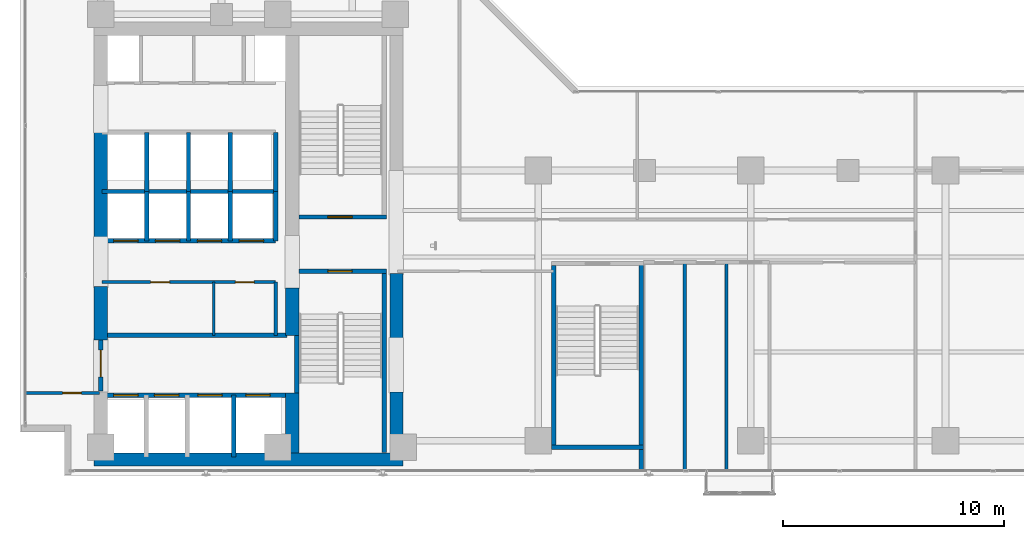
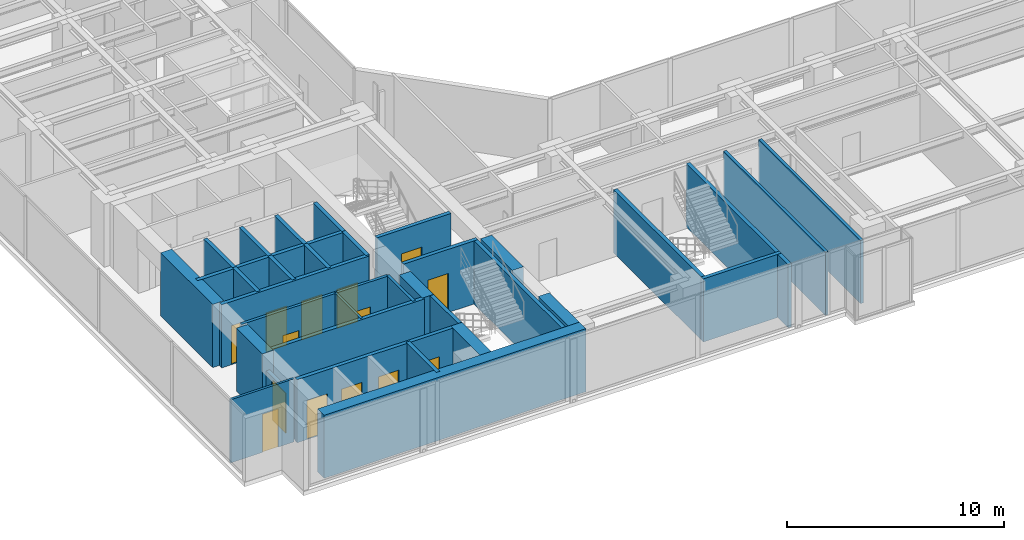
# One storey, part 20 of 27: 34 walls, 14 doors, 14 openings.
"""IFC4 building model written with IfcOpenShell, lengths in metres."""

from ifc_helpers import new_model, si_unit, direction, frame, frame_2d, origin, place, context, subcontext, project, spatial, rectangle, extrude, material, layer, layer_set, type_object, element, fill, save


model = new_model("IFC4")

# Units and contexts
model_context = context("Model", 3, precision=1e-05, world=origin(), true_north=direction((0.0, 1.0)))
body_context = subcontext(model_context, "Body", "Model", "MODEL_VIEW")
ifc_project = project(units=[si_unit("LENGTHUNIT", "METRE"), si_unit("AREAUNIT", "SQUARE_METRE"), si_unit("VOLUMEUNIT", "CUBIC_METRE"), si_unit("PLANEANGLEUNIT", "RADIAN"), si_unit("MASSUNIT", "GRAM", prefix="KILO")], contexts=[model_context])

# Site, building, storey
site_placement = place(None, origin())
site = spatial("IfcSite", under=ifc_project, at=site_placement, CompositionType="ELEMENT")
building_placement = place(site_placement, origin())
building = spatial("IfcBuilding", under=site, at=building_placement, Name="Kolvaren Waterfront Exchange", CompositionType="ELEMENT")
storey_placement = place(building_placement, frame((0.0, 0.0, 161.39990234375)))
storey = spatial("IfcBuildingStorey", under=building, at=storey_placement, Name="L41", CompositionType="ELEMENT", Elevation=161.39990234375)

# Wall, opening, door
ifc_material_1 = material(Name="Precast concrete C40/50", Category="concrete")
ifc_layer_1 = layer(ifc_material_1, 0.199951171875, Name="Precast concrete C40/50")
ifc_layer_set_1 = layer_set([ifc_layer_1], Name="Precast concrete C40/50")
wall_type_1 = type_object("IfcWallType", Name="ARC-FIRE-200", PredefinedType="PARTITIONING", material=ifc_layer_set_1)
wall_1_placement = place(storey_placement, frame((16.39990234375, 12.85009765625, 0.0), z_axis=(0.0, 0.0, 1.0), x_axis=(1.0, 0.0, 0.0)))
wall_1 = element("IfcWall", 1, at=wall_1_placement, inside=storey, type_object=wall_type_1, Name="L41 interior wall PW-L41-ST1-THROAT-S", PredefinedType="PARTITIONING", context=body_context, shape_type="SweptSolid", body=[
    extrude(rectangle(XDim=3.960205078125, YDim=0.199951171875, at=frame_2d((1.97998046875, 0.0))), origin(), (0.0, 0.0, 1.0), 3.56005859375),
])
opening_1_placement = place(wall_1_placement, frame((1.3037109375, 0.0, 0.0)))
opening_1 = element("IfcOpeningElement", 2, at=opening_1_placement, cuts=wall_1, Name="Opening FD2", PredefinedType="OPENING", context=body_context, shape_type="SweptSolid", body=[
    extrude(rectangle(XDim=1.10009765625, YDim=2.199951171875, at=frame_2d((0.550048828125, 1.10009765625))), frame((0.0, 0.10986328125, 0.0), z_axis=(0.0, -1.0, 0.0), x_axis=(1.0, 0.0, 0.0)), (0.0, 0.0, 1.0), 0.219970703125),
])
ifc_material_2 = material(Name="Pressed steel smoke-seal fire door", Category="steel")
door_type_1 = type_object("IfcDoorType", Name="ARC-FD-1100", OperationType="NOTDEFINED", PredefinedType="DOOR", material=ifc_material_2)
door_1_placement = place(opening_1_placement, frame((1.10009765625, 0.0, 0.0), z_axis=(0.0, 0.0, 1.0), x_axis=(-1.0, 0.0, 0.0)))
door_1 = element("IfcDoor", 3, at=door_1_placement, inside=storey, type_object=door_type_1, Name="L41 door DR-L41-ST1-IN (FD2)", OperationType="SINGLE_SWING_LEFT", OverallHeight=2.199951171875, OverallWidth=1.10009765625, PredefinedType="DOOR", context=body_context, shape_type="SweptSolid", body=[
    extrude(rectangle(XDim=1.10009765625, YDim=2.199951171875, at=frame_2d((0.550048828125, 1.10009765625))), frame((0.0, 0.02490234375, 0.0), z_axis=(0.0, -1.0, 0.0), x_axis=(1.0, 0.0, 0.0)), (0.0, 0.0, 1.0), 0.050048828125),
])
fill(opening_1, door_1)

wall_2_placement = place(storey_placement, frame((16.409912109375, 15.300048828125, 0.0), z_axis=(0.0, 0.0, 1.0), x_axis=(1.0, 0.0, 0.0)))
wall_2 = element("IfcWall", 4, at=wall_2_placement, inside=storey, type_object=wall_type_1, Name="L41 interior wall PW-L41-ST2-THROAT-N", PredefinedType="PARTITIONING", context=body_context, shape_type="SweptSolid", body=[
    extrude(rectangle(XDim=3.9501953125, YDim=0.199951171875, at=frame_2d((1.97509765625, 0.0))), origin(), (0.0, 0.0, 1.0), 3.56005859375),
])
opening_2_placement = place(wall_2_placement, frame((1.293701171875, 0.0, 0.0)))
opening_2 = element("IfcOpeningElement", 5, at=opening_2_placement, cuts=wall_2, Name="Opening FD2", PredefinedType="OPENING", context=body_context, shape_type="SweptSolid", body=[
    extrude(rectangle(XDim=1.10009765625, YDim=2.199951171875, at=frame_2d((0.550048828125, 1.10009765625))), frame((0.0, 0.10986328125, 0.0), z_axis=(0.0, -1.0, 0.0), x_axis=(1.0, 0.0, 0.0)), (0.0, 0.0, 1.0), 0.219970703125),
])
door_2_placement = place(opening_2_placement, origin())
door_2 = element("IfcDoor", 6, at=door_2_placement, inside=storey, type_object=door_type_1, Name="L41 door DR-L41-ST2-IN (FD2)", OperationType="SINGLE_SWING_RIGHT", OverallHeight=2.199951171875, OverallWidth=1.10009765625, PredefinedType="DOOR", context=body_context, shape_type="SweptSolid", body=[
    extrude(rectangle(XDim=1.10009765625, YDim=2.199951171875, at=frame_2d((0.550048828125, 1.10009765625))), frame((0.0, 0.02490234375, 0.0), z_axis=(0.0, -1.0, 0.0), x_axis=(1.0, 0.0, 0.0)), (0.0, 0.0, 1.0), 0.050048828125),
])
fill(opening_2, door_2)

# Wall
wall_3_placement = place(storey_placement, frame((7.5, 9.949951171875, 0.0), z_axis=(0.0, 0.0, 1.0), x_axis=(1.0, 0.0, 0.0)))
element("IfcWall", 7, at=wall_3_placement, inside=storey, type_object=wall_type_1, Name="L41 interior wall PW-L41-FF-N", PredefinedType="PARTITIONING", context=body_context, shape_type="SweptSolid", body=[
    extrude(rectangle(XDim=8.35009765625, YDim=0.199951171875, at=frame_2d((4.175048828125, 0.0))), origin(), (0.0, 0.0, 1.0), 3.56005859375),
])

# Wall, opening, door
wall_4_placement = place(storey_placement, frame((7.449951171875, 7.449951171875, 0.0), z_axis=(0.0, 0.0, 1.0), x_axis=(0.0, 1.0, 0.0)))
wall_4 = element("IfcWall", 8, at=wall_4_placement, inside=storey, type_object=wall_type_1, Name="L41 interior wall PW-L41-FF-W-DOOR", PredefinedType="PARTITIONING", context=body_context, shape_type="SweptSolid", body=[
    extrude(rectangle(XDim=2.300048828125, YDim=0.199951171875, at=frame_2d((1.14990234375, 0.0))), origin(), (0.0, 0.0, 1.0), 2.5400390625),
])
opening_3_placement = place(wall_4_placement, frame((0.63330078125, 0.0, 0.0)))
opening_3 = element("IfcOpeningElement", 9, at=opening_3_placement, cuts=wall_4, Name="Opening FD3", PredefinedType="OPENING", context=body_context, shape_type="SweptSolid", body=[
    extrude(rectangle(XDim=1.199951171875, YDim=2.25, at=frame_2d((0.60009765625, 1.125))), frame((0.0, 0.10986328125, 0.0), z_axis=(0.0, -1.0, 0.0), x_axis=(1.0, 0.0, 0.0)), (0.0, 0.0, 1.0), 0.219970703125),
])
ifc_material_3 = material(Name="Pressed steel fire door", Category="steel")
door_type_2 = type_object("IfcDoorType", Name="ARC-FD-1200", OperationType="NOTDEFINED", PredefinedType="DOOR", material=ifc_material_3)
door_3_placement = place(opening_3_placement, frame((1.199951171875, 0.0, 0.0), z_axis=(0.0, 0.0, 1.0), x_axis=(-1.0, 0.0, 0.0)))
door_3 = element("IfcDoor", 10, at=door_3_placement, inside=storey, type_object=door_type_2, Name="L41 door DR-L41-FF-OUT (FD3)", OperationType="SINGLE_SWING_RIGHT", OverallHeight=2.25, OverallWidth=1.199951171875, PredefinedType="DOOR", context=body_context, shape_type="SweptSolid", body=[
    extrude(rectangle(XDim=1.199951171875, YDim=2.25, at=frame_2d((0.60009765625, 1.125))), frame((0.0, 0.02490234375, 0.0), z_axis=(0.0, -1.0, 0.0), x_axis=(1.0, 0.0, 0.0)), (0.0, 0.0, 1.0), 0.050048828125),
])
fill(opening_3, door_3)

# Wall
ifc_material_4 = material(Name="Acoustic gypsum steel stud", Category="steel")
ifc_layer_2 = layer(ifc_material_4, 0.125, Name="Acoustic gypsum steel stud")
ifc_layer_set_2 = layer_set([ifc_layer_2], Name="Acoustic gypsum steel stud")
wall_type_2 = type_object("IfcWallType", Name="ARC-PART-125", PredefinedType="PARTITIONING", material=ifc_layer_set_2)
wall_5_placement = place(storey_placement, frame((12.550048828125, 9.949951171875, 0.0), z_axis=(0.0, 0.0, 1.0), x_axis=(0.0, 1.0, 0.0)))
element("IfcWall", 11, at=wall_5_placement, inside=storey, type_object=wall_type_2, Name="L41 interior wall PW-L41-REC-PL-MID", PredefinedType="PARTITIONING", context=body_context, shape_type="SweptSolid", body=[
    extrude(rectangle(XDim=2.41015625, YDim=0.125, at=frame_2d((1.205078125, 0.0))), origin(), (0.0, 0.0, 1.0), 3.56005859375),
])

# Wall, opening, door
wall_6_placement = place(storey_placement, frame((4.0400390625, 7.35009765625, 0.0), z_axis=(0.0, 0.0, 1.0), x_axis=(1.0, 0.0, 0.0)))
wall_6 = element("IfcWall", 12, at=wall_6_placement, inside=storey, type_object=wall_type_2, Name="L41 interior wall PW-L41-SWC-N", PredefinedType="PARTITIONING", context=body_context, shape_type="SweptSolid", body=[
    extrude(rectangle(XDim=3.35986328125, YDim=0.125, at=frame_2d((1.679931640625, 0.0))), origin(), (0.0, 0.0, 1.0), 3.56005859375),
])
opening_4_placement = place(wall_6_placement, frame((1.686767578125, 0.0, 0.0)))
opening_4 = element("IfcOpeningElement", 13, at=opening_4_placement, cuts=wall_6, Name="Opening D01", PredefinedType="OPENING", context=body_context, shape_type="SweptSolid", body=[
    extrude(rectangle(XDim=0.85009765625, YDim=2.14990234375, at=frame_2d((0.425048828125, 1.074951171875))), frame((0.0, 0.072509765625, 0.0), z_axis=(0.0, -1.0, 0.0), x_axis=(1.0, 0.0, 0.0)), (0.0, 0.0, 1.0), 0.14501953125),
])
ifc_material_5 = material(Name="Oak veneer timber leaf", Category="wood")
door_type_3 = type_object("IfcDoorType", Name="ARC-DR-900", OperationType="NOTDEFINED", PredefinedType="DOOR", material=ifc_material_5)
door_4_placement = place(opening_4_placement, origin())
door_4 = element("IfcDoor", 14, at=door_4_placement, inside=storey, type_object=door_type_3, Name="L41 door DR-L41-SWC-D (D01)", OperationType="SINGLE_SWING_RIGHT", OverallHeight=2.14990234375, OverallWidth=0.85009765625, PredefinedType="DOOR", context=body_context, shape_type="SweptSolid", body=[
    extrude(rectangle(XDim=0.85009765625, YDim=2.14990234375, at=frame_2d((0.425048828125, 1.074951171875))), frame((0.0, 0.02490234375, 0.0), z_axis=(0.0, -1.0, 0.0), x_axis=(1.0, 0.0, 0.0)), (0.0, 0.0, 1.0), 0.050048828125),
])
fill(opening_4, door_4)

# Wall, openings, doors
ifc_material_6 = material(Name="Gypsum fireboard steel stud", Category="steel")
ifc_layer_3 = layer(ifc_material_6, 0.14990234375, Name="Gypsum fireboard steel stud")
ifc_layer_set_3 = layer_set([ifc_layer_3], Name="Gypsum fireboard steel stud")
wall_type_3 = type_object("IfcWallType", Name="ARC-PART-150", PredefinedType="PARTITIONING", material=ifc_layer_set_3)
wall_7_placement = place(storey_placement, frame((7.5, 12.360107421875, 0.0), z_axis=(0.0, 0.0, 1.0), x_axis=(1.0, 0.0, 0.0)))
wall_7 = element("IfcWall", 15, at=wall_7_placement, inside=storey, type_object=wall_type_3, Name="L41 interior wall PW-L41-REC-PL-N", PredefinedType="PARTITIONING", context=body_context, shape_type="SweptSolid", body=[
    extrude(rectangle(XDim=7.85009765625, YDim=0.14990234375, at=frame_2d((3.925048828125, 0.0))), origin(), (0.0, 0.0, 1.0), 3.56005859375),
])
opening_5_placement = place(wall_7_placement, frame((2.202392578125, 0.0, 0.0)))
opening_5 = element("IfcOpeningElement", 16, at=opening_5_placement, cuts=wall_7, Name="Opening D01", PredefinedType="OPENING", context=body_context, shape_type="SweptSolid", body=[
    extrude(rectangle(XDim=0.85009765625, YDim=2.14990234375, at=frame_2d((0.425048828125, 1.074951171875))), frame((0.0, 0.0849609375, 0.0), z_axis=(0.0, -1.0, 0.0), x_axis=(1.0, 0.0, 0.0)), (0.0, 0.0, 1.0), 0.169921875),
])
opening_6_placement = place(wall_7_placement, frame((6.02490234375, 0.0, 0.0)))
opening_6 = element("IfcOpeningElement", 17, at=opening_6_placement, cuts=wall_7, Name="Opening D01", PredefinedType="OPENING", context=body_context, shape_type="SweptSolid", body=[
    extrude(rectangle(XDim=0.85009765625, YDim=2.14990234375, at=frame_2d((0.425048828125, 1.074951171875))), frame((0.0, 0.0849609375, 0.0), z_axis=(0.0, -1.0, 0.0), x_axis=(1.0, 0.0, 0.0)), (0.0, 0.0, 1.0), 0.169921875),
])
door_5_placement = place(opening_5_placement, origin())
door_5 = element("IfcDoor", 18, at=door_5_placement, inside=storey, type_object=door_type_3, Name="L41 door DR-L41-REC-PL-D1 (D01)", OperationType="SINGLE_SWING_LEFT", OverallHeight=2.14990234375, OverallWidth=0.85009765625, PredefinedType="DOOR", context=body_context, shape_type="SweptSolid", body=[
    extrude(rectangle(XDim=0.85009765625, YDim=2.14990234375, at=frame_2d((0.425048828125, 1.074951171875))), frame((0.0, 0.02490234375, 0.0), z_axis=(0.0, -1.0, 0.0), x_axis=(1.0, 0.0, 0.0)), (0.0, 0.0, 1.0), 0.050048828125),
])
fill(opening_5, door_5)
door_6_placement = place(opening_6_placement, origin())
door_6 = element("IfcDoor", 19, at=door_6_placement, inside=storey, type_object=door_type_3, Name="L41 door DR-L41-REC-PL-D2 (D01)", OperationType="SINGLE_SWING_RIGHT", OverallHeight=2.14990234375, OverallWidth=0.85009765625, PredefinedType="DOOR", context=body_context, shape_type="SweptSolid", body=[
    extrude(rectangle(XDim=0.85009765625, YDim=2.14990234375, at=frame_2d((0.425048828125, 1.074951171875))), frame((0.0, 0.02490234375, 0.0), z_axis=(0.0, -1.0, 0.0), x_axis=(1.0, 0.0, 0.0)), (0.0, 0.0, 1.0), 0.050048828125),
])
fill(opening_6, door_6)

# Walls
wall_8_placement = place(storey_placement, frame((15.35009765625, 9.949951171875, 0.0), z_axis=(0.0, 0.0, 1.0), x_axis=(0.0, 1.0, 0.0)))
element("IfcWall", 20, at=wall_8_placement, inside=storey, type_object=wall_type_3, Name="L41 interior wall PW-L41-REC-PL-E", PredefinedType="PARTITIONING", context=body_context, shape_type="SweptSolid", body=[
    extrude(rectangle(XDim=2.41015625, YDim=0.14990234375, at=frame_2d((1.205078125, 0.0))), origin(), (0.0, 0.0, 1.0), 3.56005859375),
])
ifc_material_7 = material(Name="Moisture-resistant gypsum stud")
ifc_layer_4 = layer(ifc_material_7, 0.14990234375, Name="Moisture-resistant gypsum stud")
ifc_layer_set_4 = layer_set([ifc_layer_4], Name="Moisture-resistant gypsum stud")
wall_type_4 = type_object("IfcWallType", Name="ARC-PLUMB-150", PredefinedType="PLUMBINGWALL", material=ifc_layer_set_4)
for number, where, z_axis, x_axis, name in (
    (21, (33.830078125, 3.840087890625, 0.0), (0.0, 0.0, 1.0), (0.0, 1.0, 0.0), "L41 interior wall PW-L41-WC-1"),
    (22, (35.7099609375, 3.840087890625, 0.0), (0.0, 0.0, 1.0), (0.0, 1.0, 0.0), "L41 interior wall PW-L41-WC-2"),
):
    element("IfcWall", number, at=place(storey_placement, frame(where, z_axis=z_axis, x_axis=x_axis)), inside=storey, type_object=wall_type_4, Name=name, PredefinedType="PLUMBINGWALL", context=body_context, shape_type="SweptSolid", body=[
        extrude(rectangle(XDim=9.409912109375, YDim=0.14990234375, at=frame_2d((4.705078125, 0.0))), origin(), (0.0, 0.0, 1.0), 3.56005859375),
    ])
ifc_material_8 = material(Name="Concrete C40/50", Category="concrete")
ifc_layer_5 = layer(ifc_material_8, 0.199951171875, Name="Concrete C40/50")
ifc_layer_set_5 = layer_set([ifc_layer_5], Name="Concrete C40/50")
wall_type_5 = type_object("IfcWallType", Name="ARC-SHAFT-200", PredefinedType="PARTITIONING", material=ifc_layer_set_5)
wall_9_placement = place(storey_placement, frame((16.300048828125, 7.360107421875, 0.0), z_axis=(0.0, 0.0, 1.0), x_axis=(0.0, 1.0, 0.0)))
element("IfcWall", 23, at=wall_9_placement, inside=storey, type_object=wall_type_5, Name="L41 structural stairwell wall PW-L41-ST1-W", PredefinedType="SHEAR", context=body_context, shape_type="SweptSolid", body=[
    extrude(rectangle(XDim=2.579833984375, YDim=0.199951171875, at=frame_2d((1.2900390625, 0.0))), origin(), (0.0, 0.0, 1.0), 3.56005859375),
])
wall_10_placement = place(storey_placement, frame((20.260009765625, 4.659912109375, 0.0), z_axis=(0.0, 0.0, 1.0), x_axis=(0.0, 1.0, 0.0)))
element("IfcWall", 24, at=wall_10_placement, inside=storey, type_object=wall_type_5, Name="L41 structural stairwell wall PW-L41-ST1-E", PredefinedType="SHEAR", context=body_context, shape_type="SweptSolid", body=[
    extrude(rectangle(XDim=8.090087890625, YDim=0.199951171875, at=frame_2d((4.044921875, 0.0))), origin(), (0.0, 0.0, 1.0), 3.56005859375),
])
wall_11_placement = place(storey_placement, frame((27.89990234375, 5.0, 0.0), z_axis=(0.0, 0.0, 1.0), x_axis=(0.0, 1.0, 0.0)))
element("IfcWall", 25, at=wall_11_placement, inside=storey, type_object=wall_type_5, Name="L41 structural stairwell wall PW-L41-ST3-W", PredefinedType="SHEAR", context=body_context, shape_type="SweptSolid", body=[
    extrude(rectangle(XDim=8.10009765625, YDim=0.199951171875, at=frame_2d((4.050048828125, 0.0))), origin(), (0.0, 0.0, 1.0), 3.56005859375),
])
wall_12_placement = place(storey_placement, frame((31.860107421875, 3.840087890625, 0.0), z_axis=(0.0, 0.0, 1.0), x_axis=(0.0, 1.0, 0.0)))
element("IfcWall", 26, at=wall_12_placement, inside=storey, type_object=wall_type_5, Name="L41 structural stairwell wall PW-L41-ST3-E", PredefinedType="SHEAR", context=body_context, shape_type="SweptSolid", body=[
    extrude(rectangle(XDim=9.409912109375, YDim=0.199951171875, at=frame_2d((4.705078125, 0.0))), origin(), (0.0, 0.0, 1.0), 3.56005859375),
])
wall_13_placement = place(storey_placement, frame((27.800048828125, 4.89990234375, 0.0), z_axis=(0.0, 0.0, 1.0), x_axis=(1.0, 0.0, 0.0)))
element("IfcWall", 27, at=wall_13_placement, inside=storey, type_object=wall_type_5, Name="L41 structural stairwell wall PW-L41-ST3-S", PredefinedType="SHEAR", context=body_context, shape_type="SweptSolid", body=[
    extrude(rectangle(XDim=4.159912109375, YDim=0.199951171875, at=frame_2d((2.080078125, 0.0))), origin(), (0.0, 0.0, 1.0), 3.56005859375),
])

# Wall, openings, doors
wall_14_placement = place(storey_placement, frame((7.5, 7.25, 0.0), z_axis=(0.0, 0.0, 1.0), x_axis=(1.0, 0.0, 0.0)))
wall_14 = element("IfcWall", 28, at=wall_14_placement, inside=storey, type_object=wall_type_5, Name="L41 interior wall PW-L41-FF-S", PredefinedType="PARTITIONING", context=body_context, shape_type="SweptSolid", body=[
    extrude(rectangle(XDim=8.35009765625, YDim=0.199951171875, at=frame_2d((4.175048828125, 0.0))), origin(), (0.0, 0.0, 1.0), 3.56005859375),
])
opening_7_placement = place(wall_14_placement, frame((0.530029296875, 0.0, 0.0)))
opening_7 = element("IfcOpeningElement", 29, at=opening_7_placement, cuts=wall_14, Name="Opening LD1", PredefinedType="OPENING", context=body_context, shape_type="SweptSolid", body=[
    extrude(rectangle(XDim=1.10009765625, YDim=2.199951171875, at=frame_2d((0.550048828125, 1.10009765625))), frame((0.0, 0.10986328125, 0.0), z_axis=(0.0, -1.0, 0.0), x_axis=(1.0, 0.0, 0.0)), (0.0, 0.0, 1.0), 0.219970703125),
])
opening_8_placement = place(wall_14_placement, frame((2.3701171875, 0.0, 0.0)))
opening_8 = element("IfcOpeningElement", 30, at=opening_8_placement, cuts=wall_14, Name="Opening LD1", PredefinedType="OPENING", context=body_context, shape_type="SweptSolid", body=[
    extrude(rectangle(XDim=1.10009765625, YDim=2.199951171875, at=frame_2d((0.550048828125, 1.10009765625))), frame((0.0, 0.10986328125, 0.0), z_axis=(0.0, -1.0, 0.0), x_axis=(1.0, 0.0, 0.0)), (0.0, 0.0, 1.0), 0.219970703125),
])
opening_9_placement = place(wall_14_placement, frame((4.330078125, 0.0, 0.0)))
opening_9 = element("IfcOpeningElement", 31, at=opening_9_placement, cuts=wall_14, Name="Opening LD1", PredefinedType="OPENING", context=body_context, shape_type="SweptSolid", body=[
    extrude(rectangle(XDim=1.10009765625, YDim=2.199951171875, at=frame_2d((0.550048828125, 1.10009765625))), frame((0.0, 0.10986328125, 0.0), z_axis=(0.0, -1.0, 0.0), x_axis=(1.0, 0.0, 0.0)), (0.0, 0.0, 1.0), 0.219970703125),
])
opening_10_placement = place(wall_14_placement, frame((6.5, 0.0, 0.0)))
opening_10 = element("IfcOpeningElement", 32, at=opening_10_placement, cuts=wall_14, Name="Opening LD1", PredefinedType="OPENING", context=body_context, shape_type="SweptSolid", body=[
    extrude(rectangle(XDim=1.10009765625, YDim=2.199951171875, at=frame_2d((0.550048828125, 1.10009765625))), frame((0.0, 0.10986328125, 0.0), z_axis=(0.0, -1.0, 0.0), x_axis=(1.0, 0.0, 0.0)), (0.0, 0.0, 1.0), 0.219970703125),
])
ifc_material_9 = material(Name="Stainless steel sliding landing door", Category="steel")
door_type_4 = type_object("IfcDoorType", Name="ARC-LD-FF", OperationType="SLIDING_TO_LEFT", PredefinedType="DOOR", material=ifc_material_9)
door_7_placement = place(opening_7_placement, origin())
door_7 = element("IfcDoor", 33, at=door_7_placement, inside=storey, type_object=door_type_4, Name="L41 door LD-L41-FFL1 (LD1)", OperationType="SLIDING_TO_LEFT", OverallHeight=2.199951171875, OverallWidth=1.10009765625, PredefinedType="DOOR", context=body_context, shape_type="SweptSolid", body=[
    extrude(rectangle(XDim=1.10009765625, YDim=2.199951171875, at=frame_2d((0.550048828125, 1.10009765625))), frame((0.0, 0.02490234375, 0.0), z_axis=(0.0, -1.0, 0.0), x_axis=(1.0, 0.0, 0.0)), (0.0, 0.0, 1.0), 0.050048828125),
])
fill(opening_7, door_7)
door_8_placement = place(opening_8_placement, origin())
door_8 = element("IfcDoor", 34, at=door_8_placement, inside=storey, type_object=door_type_4, Name="L41 door LD-L41-FFL2 (LD1)", OperationType="SLIDING_TO_LEFT", OverallHeight=2.199951171875, OverallWidth=1.10009765625, PredefinedType="DOOR", context=body_context, shape_type="SweptSolid", body=[
    extrude(rectangle(XDim=1.10009765625, YDim=2.199951171875, at=frame_2d((0.550048828125, 1.10009765625))), frame((0.0, 0.02490234375, 0.0), z_axis=(0.0, -1.0, 0.0), x_axis=(1.0, 0.0, 0.0)), (0.0, 0.0, 1.0), 0.050048828125),
])
fill(opening_8, door_8)
door_9_placement = place(opening_9_placement, origin())
door_9 = element("IfcDoor", 35, at=door_9_placement, inside=storey, type_object=door_type_4, Name="L41 door LD-L41-GL1 (LD1)", OperationType="SLIDING_TO_LEFT", OverallHeight=2.199951171875, OverallWidth=1.10009765625, PredefinedType="DOOR", context=body_context, shape_type="SweptSolid", body=[
    extrude(rectangle(XDim=1.10009765625, YDim=2.199951171875, at=frame_2d((0.550048828125, 1.10009765625))), frame((0.0, 0.02490234375, 0.0), z_axis=(0.0, -1.0, 0.0), x_axis=(1.0, 0.0, 0.0)), (0.0, 0.0, 1.0), 0.050048828125),
])
fill(opening_9, door_9)
door_10_placement = place(opening_10_placement, origin())
door_10 = element("IfcDoor", 36, at=door_10_placement, inside=storey, type_object=door_type_4, Name="L41 door LD-L41-GL2 (LD1)", OperationType="SLIDING_TO_LEFT", OverallHeight=2.199951171875, OverallWidth=1.10009765625, PredefinedType="DOOR", context=body_context, shape_type="SweptSolid", body=[
    extrude(rectangle(XDim=1.10009765625, YDim=2.199951171875, at=frame_2d((0.550048828125, 1.10009765625))), frame((0.0, 0.02490234375, 0.0), z_axis=(0.0, -1.0, 0.0), x_axis=(1.0, 0.0, 0.0)), (0.0, 0.0, 1.0), 0.050048828125),
])
fill(opening_10, door_10)

# Wall
wall_15_placement = place(storey_placement, frame((13.4599609375, 4.449951171875, 0.0), z_axis=(0.0, 0.0, 1.0), x_axis=(0.0, 1.0, 0.0)))
element("IfcWall", 37, at=wall_15_placement, inside=storey, type_object=wall_type_5, Name="L41 interior wall PW-L41-SH1-DIV-134", PredefinedType="PARTITIONING", context=body_context, shape_type="SweptSolid", body=[
    extrude(rectangle(XDim=2.800048828125, YDim=0.199951171875, at=frame_2d((1.39990234375, 0.0))), origin(), (0.0, 0.0, 1.0), 3.56005859375),
])

# Wall, openings, doors
wall_16_placement = place(storey_placement, frame((7.5, 14.219970703125, 0.0), z_axis=(0.0, 0.0, 1.0), x_axis=(1.0, 0.0, 0.0)))
wall_16 = element("IfcWall", 38, at=wall_16_placement, inside=storey, type_object=wall_type_5, Name="L41 interior wall PW-L41-PM-S", PredefinedType="PARTITIONING", context=body_context, shape_type="SweptSolid", body=[
    extrude(rectangle(XDim=7.85009765625, YDim=0.199951171875, at=frame_2d((3.925048828125, 0.0))), origin(), (0.0, 0.0, 1.0), 3.56005859375),
])
opening_11_placement = place(wall_16_placement, frame((0.530029296875, 0.0, 0.0)))
opening_11 = element("IfcOpeningElement", 39, at=opening_11_placement, cuts=wall_16, Name="Opening LD2", PredefinedType="OPENING", context=body_context, shape_type="SweptSolid", body=[
    extrude(rectangle(XDim=1.10009765625, YDim=2.199951171875, at=frame_2d((0.550048828125, 1.10009765625))), frame((0.0, 0.10986328125, 0.0), z_axis=(0.0, -1.0, 0.0), x_axis=(1.0, 0.0, 0.0)), (0.0, 0.0, 1.0), 0.219970703125),
])
opening_12_placement = place(wall_16_placement, frame((2.419921875, 0.0, 0.0)))
opening_12 = element("IfcOpeningElement", 40, at=opening_12_placement, cuts=wall_16, Name="Opening LD2", PredefinedType="OPENING", context=body_context, shape_type="SweptSolid", body=[
    extrude(rectangle(XDim=1.10009765625, YDim=2.199951171875, at=frame_2d((0.550048828125, 1.10009765625))), frame((0.0, 0.10986328125, 0.0), z_axis=(0.0, -1.0, 0.0), x_axis=(1.0, 0.0, 0.0)), (0.0, 0.0, 1.0), 0.219970703125),
])
opening_13_placement = place(wall_16_placement, frame((4.31005859375, 0.0, 0.0)))
opening_13 = element("IfcOpeningElement", 41, at=opening_13_placement, cuts=wall_16, Name="Opening LD2", PredefinedType="OPENING", context=body_context, shape_type="SweptSolid", body=[
    extrude(rectangle(XDim=1.10009765625, YDim=2.199951171875, at=frame_2d((0.550048828125, 1.10009765625))), frame((0.0, 0.10986328125, 0.0), z_axis=(0.0, -1.0, 0.0), x_axis=(1.0, 0.0, 0.0)), (0.0, 0.0, 1.0), 0.219970703125),
])
opening_14_placement = place(wall_16_placement, frame((6.199951171875, 0.0, 0.0)))
opening_14 = element("IfcOpeningElement", 42, at=opening_14_placement, cuts=wall_16, Name="Opening LD2", PredefinedType="OPENING", context=body_context, shape_type="SweptSolid", body=[
    extrude(rectangle(XDim=1.10009765625, YDim=2.199951171875, at=frame_2d((0.550048828125, 1.10009765625))), frame((0.0, 0.10986328125, 0.0), z_axis=(0.0, -1.0, 0.0), x_axis=(1.0, 0.0, 0.0)), (0.0, 0.0, 1.0), 0.219970703125),
])
ifc_material_10 = material(Name="Brushed bronze sliding landing door", Category="aluminium")
door_type_5 = type_object("IfcDoorType", Name="ARC-LD-PAX", OperationType="SLIDING_TO_LEFT", PredefinedType="DOOR", material=ifc_material_10)
door_11_placement = place(opening_11_placement, frame((1.10009765625, 0.0, 0.0), z_axis=(0.0, 0.0, 1.0), x_axis=(-1.0, 0.0, 0.0)))
door_11 = element("IfcDoor", 43, at=door_11_placement, inside=storey, type_object=door_type_5, Name="L41 door LD-L41-PM1 (LD2)", OperationType="SLIDING_TO_LEFT", OverallHeight=2.199951171875, OverallWidth=1.10009765625, PredefinedType="DOOR", context=body_context, shape_type="SweptSolid", body=[
    extrude(rectangle(XDim=1.10009765625, YDim=2.199951171875, at=frame_2d((0.550048828125, 1.10009765625))), frame((0.0, 0.02490234375, 0.0), z_axis=(0.0, -1.0, 0.0), x_axis=(1.0, 0.0, 0.0)), (0.0, 0.0, 1.0), 0.050048828125),
])
fill(opening_11, door_11)
door_12_placement = place(opening_12_placement, frame((1.10009765625, 0.0, 0.0), z_axis=(0.0, 0.0, 1.0), x_axis=(-1.0, 0.0, 0.0)))
door_12 = element("IfcDoor", 44, at=door_12_placement, inside=storey, type_object=door_type_5, Name="L41 door LD-L41-PM2 (LD2)", OperationType="SLIDING_TO_LEFT", OverallHeight=2.199951171875, OverallWidth=1.10009765625, PredefinedType="DOOR", context=body_context, shape_type="SweptSolid", body=[
    extrude(rectangle(XDim=1.10009765625, YDim=2.199951171875, at=frame_2d((0.550048828125, 1.10009765625))), frame((0.0, 0.02490234375, 0.0), z_axis=(0.0, -1.0, 0.0), x_axis=(1.0, 0.0, 0.0)), (0.0, 0.0, 1.0), 0.050048828125),
])
fill(opening_12, door_12)
door_13_placement = place(opening_13_placement, frame((1.10009765625, 0.0, 0.0), z_axis=(0.0, 0.0, 1.0), x_axis=(-1.0, 0.0, 0.0)))
door_13 = element("IfcDoor", 45, at=door_13_placement, inside=storey, type_object=door_type_5, Name="L41 door LD-L41-PM3 (LD2)", OperationType="SLIDING_TO_LEFT", OverallHeight=2.199951171875, OverallWidth=1.10009765625, PredefinedType="DOOR", context=body_context, shape_type="SweptSolid", body=[
    extrude(rectangle(XDim=1.10009765625, YDim=2.199951171875, at=frame_2d((0.550048828125, 1.10009765625))), frame((0.0, 0.02490234375, 0.0), z_axis=(0.0, -1.0, 0.0), x_axis=(1.0, 0.0, 0.0)), (0.0, 0.0, 1.0), 0.050048828125),
])
fill(opening_13, door_13)
door_14_placement = place(opening_14_placement, frame((1.10009765625, 0.0, 0.0), z_axis=(0.0, 0.0, 1.0), x_axis=(-1.0, 0.0, 0.0)))
door_14 = element("IfcDoor", 46, at=door_14_placement, inside=storey, type_object=door_type_5, Name="L41 door LD-L41-PM4 (LD2)", OperationType="SLIDING_TO_LEFT", OverallHeight=2.199951171875, OverallWidth=1.10009765625, PredefinedType="DOOR", context=body_context, shape_type="SweptSolid", body=[
    extrude(rectangle(XDim=1.10009765625, YDim=2.199951171875, at=frame_2d((0.550048828125, 1.10009765625))), frame((0.0, 0.02490234375, 0.0), z_axis=(0.0, -1.0, 0.0), x_axis=(1.0, 0.0, 0.0)), (0.0, 0.0, 1.0), 0.050048828125),
])
fill(opening_14, door_14)

# Walls
wall_17_placement = place(storey_placement, frame((7.5, 16.449951171875, 0.0), z_axis=(0.0, 0.0, 1.0), x_axis=(1.0, 0.0, 0.0)))
element("IfcWall", 47, at=wall_17_placement, inside=storey, type_object=wall_type_5, Name="L41 interior wall PW-L41-PM-N", PredefinedType="PARTITIONING", context=body_context, shape_type="SweptSolid", body=[
    extrude(rectangle(XDim=7.85009765625, YDim=0.199951171875, at=frame_2d((3.925048828125, 0.0))), origin(), (0.0, 0.0, 1.0), 3.56005859375),
])
for number, where, z_axis, x_axis, name in (
    (48, (15.35009765625, 14.219970703125, 0.0), (0.0, 0.0, 1.0), (0.0, 1.0, 0.0), "L41 interior wall PW-L41-PM-E"),
    (49, (9.52001953125, 14.219970703125, 0.0), (0.0, 0.0, 1.0), (0.0, 1.0, 0.0), "L41 interior wall PW-L41-SH3-DIV-95"),
    (50, (11.409912109375, 14.219970703125, 0.0), (0.0, 0.0, 1.0), (0.0, 1.0, 0.0), "L41 interior wall PW-L41-SH3-DIV-114"),
    (51, (13.300048828125, 14.219970703125, 0.0), (0.0, 0.0, 1.0), (0.0, 1.0, 0.0), "L41 interior wall PW-L41-SH3-DIV-133"),
):
    element("IfcWall", number, at=place(storey_placement, frame(where, z_axis=z_axis, x_axis=x_axis)), inside=storey, type_object=wall_type_5, Name=name, PredefinedType="PARTITIONING", context=body_context, shape_type="SweptSolid", body=[
        extrude(rectangle(XDim=2.22998046875, YDim=0.199951171875, at=frame_2d((1.114990234375, 0.0))), origin(), (0.0, 0.0, 1.0), 3.56005859375),
    ])
for number, where, z_axis, x_axis, name in (
    (52, (15.35009765625, 16.449951171875, 0.0), (0.0, 0.0, 1.0), (0.0, 1.0, 0.0), "L41 interior wall PW-L41-PH-E"),
    (53, (9.52001953125, 16.449951171875, 0.0), (0.0, 0.0, 1.0), (0.0, 1.0, 0.0), "L41 interior wall PW-L41-SH4-DIV-95"),
    (54, (11.409912109375, 16.449951171875, 0.0), (0.0, 0.0, 1.0), (0.0, 1.0, 0.0), "L41 interior wall PW-L41-SH4-DIV-114"),
    (55, (13.300048828125, 16.449951171875, 0.0), (0.0, 0.0, 1.0), (0.0, 1.0, 0.0), "L41 interior wall PW-L41-SH4-DIV-133"),
):
    element("IfcWall", number, at=place(storey_placement, frame(where, z_axis=z_axis, x_axis=x_axis)), inside=storey, type_object=wall_type_5, Name=name, PredefinedType="PARTITIONING", context=body_context, shape_type="SweptSolid", body=[
        extrude(rectangle(XDim=2.670166015625, YDim=0.199951171875, at=frame_2d((1.3349609375, 0.0))), origin(), (0.0, 0.0, 1.0), 3.56005859375),
    ])
ifc_material_11 = material(Name="Concrete C60/75", Category="concrete")
ifc_layer_6 = layer(ifc_material_11, 0.60009765625, Name="Concrete C60/75")
ifc_layer_set_6 = layer_set([ifc_layer_6], Name="Concrete C60/75")
wall_type_6 = type_object("IfcWallType", Name="STR-CWALL-600", PredefinedType="SHEAR", material=ifc_layer_set_6)
wall_18_placement = place(storey_placement, frame((7.14990234375, 4.35009765625, 0.0), z_axis=(0.0, 0.0, 1.0), x_axis=(1.0, 0.0, 0.0)))
element("IfcWall", 56, at=wall_18_placement, inside=storey, type_object=wall_type_6, Name="L41 rear-core shear wall S", PredefinedType="SHEAR", context=body_context, shape_type="SweptSolid", body=[
    extrude(rectangle(XDim=13.9501953125, YDim=0.60009765625, at=frame_2d((6.97509765625, 0.0))), origin(), (0.0, 0.0, 1.0), 3.56005859375),
])
wall_19_placement = place(storey_placement, frame((7.449951171875, 9.75, 0.0), z_axis=(0.0, 0.0, 1.0), x_axis=(0.0, 1.0, 0.0)))
element("IfcWall", 57, at=wall_19_placement, inside=storey, type_object=wall_type_6, Name="L41 rear-core shear wall W2A", PredefinedType="SHEAR", context=body_context, shape_type="SweptSolid", body=[
    extrude(rectangle(XDim=2.39990234375, YDim=0.60009765625, at=frame_2d((1.199951171875, 0.0))), origin(), (0.0, 0.0, 1.0), 3.56005859375),
])
wall_20_placement = place(storey_placement, frame((7.449951171875, 14.35009765625, 0.0), z_axis=(0.0, 0.0, 1.0), x_axis=(0.0, 1.0, 0.0)))
element("IfcWall", 58, at=wall_20_placement, inside=storey, type_object=wall_type_6, Name="L41 rear-core shear wall W2B", PredefinedType="SHEAR", context=body_context, shape_type="SweptSolid", body=[
    extrude(rectangle(XDim=4.809814453125, YDim=0.60009765625, at=frame_2d((2.40478515625, 0.0))), origin(), (0.0, 0.0, 1.0), 3.56005859375),
])
wall_21_placement = place(storey_placement, frame((20.800048828125, 4.64990234375, 0.0), z_axis=(0.0, 0.0, 1.0), x_axis=(0.0, 1.0, 0.0)))
element("IfcWall", 59, at=wall_21_placement, inside=storey, type_object=wall_type_6, Name="L41 rear-core shear wall E1", PredefinedType="SHEAR", context=body_context, shape_type="SweptSolid", body=[
    extrude(rectangle(XDim=2.75, YDim=0.60009765625, at=frame_2d((1.375, 0.0))), origin(), (0.0, 0.0, 1.0), 3.56005859375),
])
wall_22_placement = place(storey_placement, frame((20.800048828125, 9.800048828125, 0.0), z_axis=(0.0, 0.0, 1.0), x_axis=(0.0, 1.0, 0.0)))
element("IfcWall", 60, at=wall_22_placement, inside=storey, type_object=wall_type_6, Name="L41 rear-core shear wall E2", PredefinedType="SHEAR", context=body_context, shape_type="SweptSolid", body=[
    extrude(rectangle(XDim=2.949951171875, YDim=0.60009765625, at=frame_2d((1.47509765625, 0.0))), origin(), (0.0, 0.0, 1.0), 3.56005859375),
])
wall_23_placement = place(storey_placement, frame((16.10009765625, 4.64990234375, 0.0), z_axis=(0.0, 0.0, 1.0), x_axis=(0.0, 1.0, 0.0)))
element("IfcWall", 61, at=wall_23_placement, inside=storey, type_object=wall_type_6, Name="L41 rear-core shear wall M1", PredefinedType="SHEAR", context=body_context, shape_type="SweptSolid", body=[
    extrude(rectangle(XDim=2.7001953125, YDim=0.60009765625, at=frame_2d((1.35009765625, 0.0))), origin(), (0.0, 0.0, 1.0), 3.56005859375),
])
wall_24_placement = place(storey_placement, frame((16.10009765625, 9.949951171875, 0.0), z_axis=(0.0, 0.0, 1.0), x_axis=(0.0, 1.0, 0.0)))
element("IfcWall", 62, at=wall_24_placement, inside=storey, type_object=wall_type_6, Name="L41 rear-core shear wall M2", PredefinedType="SHEAR", context=body_context, shape_type="SweptSolid", body=[
    extrude(rectangle(XDim=2.150146484375, YDim=0.60009765625, at=frame_2d((1.0751953125, 0.0))), origin(), (0.0, 0.0, 1.0), 3.56005859375),
])

save(model, "model.ifc")
